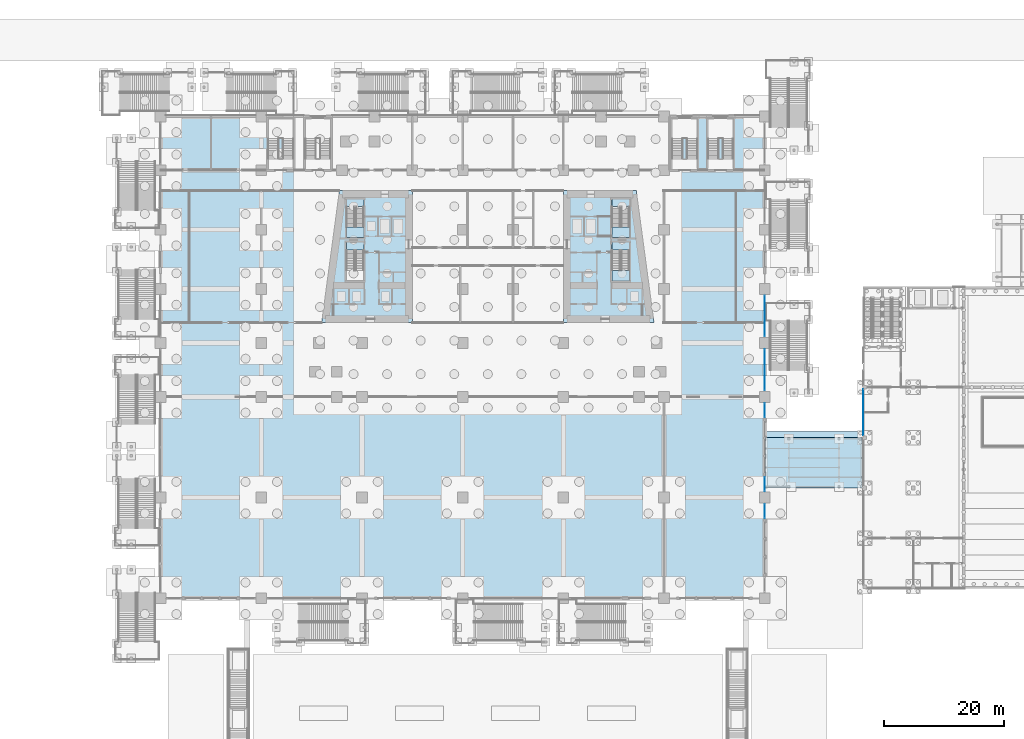
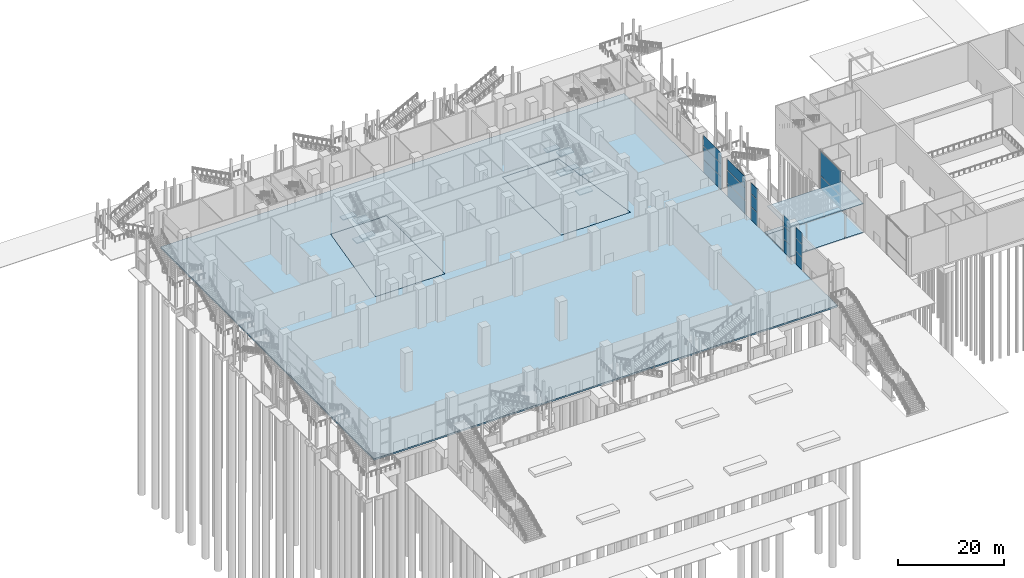
# One storey, part 36 of 72: 17 plates, 16 slabs, 10 elements without a shape of their own.
"""IFC4 building model written with IfcOpenShell, lengths in metres."""

from ifc_helpers import new_model, si_unit, direction, frame, origin, origin_2d, place, context, subcontext, project, spatial, polyline, rectangle, outline, extrude, material, layer, layer_set, type_object, element, aggregate, save


model = new_model("IFC4")

# Units and contexts
model_context = context("Model", 3, precision=1e-05, world=origin(), true_north=direction((0.0, 1.0)))
body_context = subcontext(model_context, "Body", "Model", "MODEL_VIEW")
ifc_project = project(units=[si_unit("LENGTHUNIT", "METRE"), si_unit("AREAUNIT", "SQUARE_METRE"), si_unit("VOLUMEUNIT", "CUBIC_METRE"), si_unit("PLANEANGLEUNIT", "RADIAN"), si_unit("MASSUNIT", "GRAM", prefix="KILO")], contexts=[model_context])

# Site, building, storey
site_placement = place(None, origin())
site = spatial("IfcSite", under=ifc_project, at=site_placement, CompositionType="ELEMENT")
building_placement = place(site_placement, origin())
building = spatial("IfcBuilding", under=site, at=building_placement, Name="Candeia Pilgrim Tower and Theatre", CompositionType="ELEMENT")
storey_placement = place(building_placement, origin())
storey = spatial("IfcBuildingStorey", under=building, at=storey_placement, Name="L00", CompositionType="ELEMENT", Elevation=0.0)

# Slabs
ifc_material_1 = material(Name="Concrete C35/45", Category="concrete")
ifc_layer_1 = layer(ifc_material_1, 0.199951171875)
ifc_layer_set_1 = layer_set([ifc_layer_1], Name="Arcade paving slab 200")
slab_type_1 = type_object("IfcSlabType", Name="Arcade paving slab 200", PredefinedType="BASESLAB", material=ifc_layer_set_1)
slab_1_placement = place(storey_placement, frame((0.0, 0.0, -0.199951171875)))
element("IfcSlab", 1, at=slab_1_placement, inside=storey, type_object=slab_type_1, Name="Arcade paving slab", PredefinedType="BASESLAB", context=body_context, shape_type="SweptSolid", body=[
    extrude(outline(polyline([(159.75, 82.800048828125), (175.85009765625, 82.800048828125), (175.85009765625, 91.199951171875), (159.75, 91.199951171875), (159.75, 82.800048828125)]), holes=[polyline([(163.449951171875, 82.85009765625), (163.75, 82.85009765625), (163.75, 83.14990234375), (163.449951171875, 83.14990234375), (163.449951171875, 82.85009765625)]), polyline([(163.449951171875, 90.85009765625), (163.75, 90.85009765625), (163.75, 91.14990234375), (163.449951171875, 91.14990234375), (163.449951171875, 90.85009765625)]), polyline([(171.85009765625, 82.85009765625), (172.14990234375, 82.85009765625), (172.14990234375, 83.14990234375), (171.85009765625, 83.14990234375), (171.85009765625, 82.85009765625)]), polyline([(171.85009765625, 90.85009765625), (172.14990234375, 90.85009765625), (172.14990234375, 91.14990234375), (171.85009765625, 91.14990234375), (171.85009765625, 90.85009765625)])]), origin(), (0.0, 0.0, 1.0), 0.199951171875),
])
ifc_material_2 = material(Name="Laminated glass roof, steel frame S355", Category="steel")
ifc_layer_2 = layer(ifc_material_2, 0.10009765625)
ifc_layer_set_2 = layer_set([ifc_layer_2], Name="Arcade roof plate 100")
slab_type_2 = type_object("IfcSlabType", Name="Arcade roof plate 100", PredefinedType="ROOF", material=ifc_layer_set_2)
slab_2_placement = place(storey_placement, frame((0.0, 0.0, 6.5)))
element("IfcSlab", 2, at=slab_2_placement, inside=storey, type_object=slab_type_2, Name="Arcade glazed roof", PredefinedType="ROOF", context=body_context, shape_type="SweptSolid", body=[
    extrude(outline(polyline([(159.75, 82.800048828125), (175.85009765625, 82.800048828125), (175.85009765625, 91.199951171875), (159.75, 91.199951171875), (159.75, 82.800048828125)])), origin(), (0.0, 0.0, 1.0), 0.10009765625),
])

# Curtain wall, plates
ifc_material_3 = material(Name="Aluminium framed podium glazing", Category="aluminium")
curtain_wall_type_1 = type_object("IfcCurtainWallType", Name="CW-P curtain wall", PredefinedType="NOTDEFINED", material=ifc_material_3)
curtain_wall_1_placement = place(storey_placement, origin())
curtain_wall_1 = element("IfcCurtainWall", 3, at=curtain_wall_1_placement, inside=storey, type_object=curtain_wall_type_1, Name="Curtain wall CW-P L00.230", PredefinedType="NOTDEFINED")
ifc_material_4 = material(Name="Laminated low-iron glass 2 x 8 mm", Category="glass")
ifc_layer_3 = layer(ifc_material_4, 0.035888671875)
ifc_layer_set_3 = layer_set([ifc_layer_3], Name="CW-P glass panel 36")
plate_type_1 = type_object("IfcPlateType", Name="CW-P glass panel 36", PredefinedType="CURTAIN_PANEL", material=ifc_layer_set_3)
plate_1_placement = place(storey_placement, frame((159.60009765625, 111.5, 0.0), z_axis=(0.0, 0.0, 1.0), x_axis=(0.0, -1.0, 0.0)))
plate_1 = element("IfcPlate", 4, at=plate_1_placement, type_object=plate_type_1, Name="CW-P panel 1.1", PredefinedType="CURTAIN_PANEL", context=body_context, shape_type="SweptSolid", body=[
    extrude(rectangle(XDim=6.820068359375, YDim=0.035888671875, at=origin_2d()), origin(), (0.0, 0.0, 1.0), 2.9599609375),
])
plate_2_placement = place(storey_placement, frame((159.60009765625, 111.5, 3.0400390625), z_axis=(0.0, 0.0, 1.0), x_axis=(0.0, -1.0, 0.0)))
plate_2 = element("IfcPlate", 5, at=plate_2_placement, type_object=plate_type_1, Name="CW-P panel 1.2", PredefinedType="CURTAIN_PANEL", context=body_context, shape_type="SweptSolid", body=[
    extrude(rectangle(XDim=6.820068359375, YDim=0.035888671875, at=origin_2d()), origin(), (0.0, 0.0, 1.0), 2.919921875),
])
plate_3_placement = place(storey_placement, frame((159.60009765625, 111.5, 6.0400390625), z_axis=(0.0, 0.0, 1.0), x_axis=(0.0, -1.0, 0.0)))
plate_3 = element("IfcPlate", 6, at=plate_3_placement, type_object=plate_type_1, Name="CW-P panel 1.3", PredefinedType="CURTAIN_PANEL", context=body_context, shape_type="SweptSolid", body=[
    extrude(rectangle(XDim=6.820068359375, YDim=0.035888671875, at=origin_2d()), origin(), (0.0, 0.0, 1.0), 2.4599609375),
])
aggregate(curtain_wall_1, [plate_1, plate_2, plate_3])

curtain_wall_2_placement = place(storey_placement, origin())
curtain_wall_2 = element("IfcCurtainWall", 7, at=curtain_wall_2_placement, inside=storey, type_object=curtain_wall_type_1, Name="Curtain wall CW-P L00.240", PredefinedType="NOTDEFINED")
plate_4_placement = place(storey_placement, frame((159.60009765625, 102.5, 0.0), z_axis=(0.0, 0.0, 1.0), x_axis=(0.0, -1.0, 0.0)))
plate_4 = element("IfcPlate", 8, at=plate_4_placement, type_object=plate_type_1, Name="CW-P panel 1.1", PredefinedType="CURTAIN_PANEL", context=body_context, shape_type="SweptSolid", body=[
    extrude(rectangle(XDim=6.820068359375, YDim=0.035888671875, at=origin_2d()), origin(), (0.0, 0.0, 1.0), 2.9599609375),
])
plate_5_placement = place(storey_placement, frame((159.60009765625, 102.5, 3.0400390625), z_axis=(0.0, 0.0, 1.0), x_axis=(0.0, -1.0, 0.0)))
plate_5 = element("IfcPlate", 9, at=plate_5_placement, type_object=plate_type_1, Name="CW-P panel 1.2", PredefinedType="CURTAIN_PANEL", context=body_context, shape_type="SweptSolid", body=[
    extrude(rectangle(XDim=6.820068359375, YDim=0.035888671875, at=origin_2d()), origin(), (0.0, 0.0, 1.0), 2.919921875),
])
plate_6_placement = place(storey_placement, frame((159.60009765625, 102.5, 6.0400390625), z_axis=(0.0, 0.0, 1.0), x_axis=(0.0, -1.0, 0.0)))
plate_6 = element("IfcPlate", 10, at=plate_6_placement, type_object=plate_type_1, Name="CW-P panel 1.3", PredefinedType="CURTAIN_PANEL", context=body_context, shape_type="SweptSolid", body=[
    extrude(rectangle(XDim=6.820068359375, YDim=0.035888671875, at=origin_2d()), origin(), (0.0, 0.0, 1.0), 2.4599609375),
])
aggregate(curtain_wall_2, [plate_4, plate_5, plate_6])

curtain_wall_3_placement = place(storey_placement, origin())
curtain_wall_3 = element("IfcCurtainWall", 11, at=curtain_wall_3_placement, inside=storey, type_object=curtain_wall_type_1, Name="Curtain wall CW-P L00.250", PredefinedType="NOTDEFINED")
plate_7_placement = place(storey_placement, frame((159.60009765625, 95.75, 0.0), z_axis=(0.0, 0.0, 1.0), x_axis=(0.0, -1.0, 0.0)))
plate_7 = element("IfcPlate", 12, at=plate_7_placement, type_object=plate_type_1, Name="CW-P panel 1.1", PredefinedType="CURTAIN_PANEL", context=body_context, shape_type="SweptSolid", body=[
    extrude(rectangle(XDim=2.320068359375, YDim=0.035888671875, at=origin_2d()), origin(), (0.0, 0.0, 1.0), 2.9599609375),
])
plate_8_placement = place(storey_placement, frame((159.60009765625, 95.75, 3.0400390625), z_axis=(0.0, 0.0, 1.0), x_axis=(0.0, -1.0, 0.0)))
plate_8 = element("IfcPlate", 13, at=plate_8_placement, type_object=plate_type_1, Name="CW-P panel 1.2", PredefinedType="CURTAIN_PANEL", context=body_context, shape_type="SweptSolid", body=[
    extrude(rectangle(XDim=2.320068359375, YDim=0.035888671875, at=origin_2d()), origin(), (0.0, 0.0, 1.0), 2.919921875),
])
plate_9_placement = place(storey_placement, frame((159.60009765625, 95.75, 6.0400390625), z_axis=(0.0, 0.0, 1.0), x_axis=(0.0, -1.0, 0.0)))
plate_9 = element("IfcPlate", 14, at=plate_9_placement, type_object=plate_type_1, Name="CW-P panel 1.3", PredefinedType="CURTAIN_PANEL", context=body_context, shape_type="SweptSolid", body=[
    extrude(rectangle(XDim=2.320068359375, YDim=0.035888671875, at=origin_2d()), origin(), (0.0, 0.0, 1.0), 2.4599609375),
])
aggregate(curtain_wall_3, [plate_7, plate_8, plate_9])

curtain_wall_4_placement = place(storey_placement, origin())
curtain_wall_4 = element("IfcCurtainWall", 15, at=curtain_wall_4_placement, inside=storey, type_object=curtain_wall_type_1, Name="Curtain wall CW-P L00.251", PredefinedType="NOTDEFINED")
plate_10_placement = place(storey_placement, frame((159.60009765625, 83.449951171875, 0.0), z_axis=(0.0, 0.0, 1.0), x_axis=(0.0, -1.0, 0.0)))
plate_10 = element("IfcPlate", 16, at=plate_10_placement, type_object=plate_type_1, Name="CW-P panel 1.1", PredefinedType="CURTAIN_PANEL", context=body_context, shape_type="SweptSolid", body=[
    extrude(rectangle(XDim=2.320068359375, YDim=0.035888671875, at=origin_2d()), origin(), (0.0, 0.0, 1.0), 2.9599609375),
])
plate_11_placement = place(storey_placement, frame((159.60009765625, 83.449951171875, 3.0400390625), z_axis=(0.0, 0.0, 1.0), x_axis=(0.0, -1.0, 0.0)))
plate_11 = element("IfcPlate", 17, at=plate_11_placement, type_object=plate_type_1, Name="CW-P panel 1.2", PredefinedType="CURTAIN_PANEL", context=body_context, shape_type="SweptSolid", body=[
    extrude(rectangle(XDim=2.320068359375, YDim=0.035888671875, at=origin_2d()), origin(), (0.0, 0.0, 1.0), 2.919921875),
])
plate_12_placement = place(storey_placement, frame((159.60009765625, 83.449951171875, 6.0400390625), z_axis=(0.0, 0.0, 1.0), x_axis=(0.0, -1.0, 0.0)))
plate_12 = element("IfcPlate", 18, at=plate_12_placement, type_object=plate_type_1, Name="CW-P panel 1.3", PredefinedType="CURTAIN_PANEL", context=body_context, shape_type="SweptSolid", body=[
    extrude(rectangle(XDim=2.320068359375, YDim=0.035888671875, at=origin_2d()), origin(), (0.0, 0.0, 1.0), 2.4599609375),
])
aggregate(curtain_wall_4, [plate_10, plate_11, plate_12])

curtain_wall_5_placement = place(storey_placement, origin())
curtain_wall_5 = element("IfcCurtainWall", 19, at=curtain_wall_5_placement, inside=storey, type_object=curtain_wall_type_1, Name="Curtain wall CW-P L00.260", PredefinedType="NOTDEFINED")
plate_13_placement = place(storey_placement, frame((159.60009765625, 78.949951171875, 0.0), z_axis=(0.0, 0.0, 1.0), x_axis=(0.0, -1.0, 0.0)))
plate_13 = element("IfcPlate", 20, at=plate_13_placement, type_object=plate_type_1, Name="CW-P panel 1.1", PredefinedType="CURTAIN_PANEL", context=body_context, shape_type="SweptSolid", body=[
    extrude(rectangle(XDim=2.320068359375, YDim=0.035888671875, at=origin_2d()), origin(), (0.0, 0.0, 1.0), 2.9599609375),
])
plate_14_placement = place(storey_placement, frame((159.60009765625, 78.949951171875, 3.0400390625), z_axis=(0.0, 0.0, 1.0), x_axis=(0.0, -1.0, 0.0)))
plate_14 = element("IfcPlate", 21, at=plate_14_placement, type_object=plate_type_1, Name="CW-P panel 1.2", PredefinedType="CURTAIN_PANEL", context=body_context, shape_type="SweptSolid", body=[
    extrude(rectangle(XDim=2.320068359375, YDim=0.035888671875, at=origin_2d()), origin(), (0.0, 0.0, 1.0), 2.919921875),
])
plate_15_placement = place(storey_placement, frame((159.60009765625, 78.949951171875, 6.0400390625), z_axis=(0.0, 0.0, 1.0), x_axis=(0.0, -1.0, 0.0)))
plate_15 = element("IfcPlate", 22, at=plate_15_placement, type_object=plate_type_1, Name="CW-P panel 1.3", PredefinedType="CURTAIN_PANEL", context=body_context, shape_type="SweptSolid", body=[
    extrude(rectangle(XDim=2.320068359375, YDim=0.035888671875, at=origin_2d()), origin(), (0.0, 0.0, 1.0), 2.4599609375),
])
aggregate(curtain_wall_5, [plate_13, plate_14, plate_15])

# Slabs
ifc_material_5 = material(Name="Concrete C60/75", Category="concrete")
ifc_layer_4 = layer(ifc_material_5, 0.35009765625)
ifc_layer_set_4 = layer_set([ifc_layer_4], Name="FS-CORE 350 core floor")
slab_type_3 = type_object("IfcSlabType", Name="FS-CORE 350 core floor", PredefinedType="FLOOR", material=ifc_layer_set_4)
slab_3_placement = place(storey_placement, frame((0.0, 0.0, -0.35009765625)))
element("IfcSlab", 23, at=slab_3_placement, inside=storey, type_object=slab_type_3, Name="Core floor W L00", PredefinedType="FLOOR", context=body_context, shape_type="SweptSolid", body=[
    extrude(outline(polyline([(88.630859375, 132.39990234375), (100.800048828125, 132.39990234375), (100.800048828125, 110.39990234375), (85.669189453125, 110.39990234375), (88.630859375, 132.39990234375)])), origin(), (0.0, 0.0, 1.0), 0.35009765625),
])
slab_4_placement = place(storey_placement, frame((0.0, 0.0, -0.35009765625)))
element("IfcSlab", 24, at=slab_4_placement, inside=storey, type_object=slab_type_3, Name="Core floor E L00", PredefinedType="FLOOR", context=body_context, shape_type="SweptSolid", body=[
    extrude(outline(polyline([(126.0, 132.39990234375), (138.169189453125, 132.39990234375), (141.130859375, 110.39990234375), (126.0, 110.39990234375), (126.0, 132.39990234375)])), origin(), (0.0, 0.0, 1.0), 0.35009765625),
])
ifc_material_6 = material(Name="Concrete C40/50", Category="concrete")
ifc_layer_5 = layer(ifc_material_6, 0.35009765625)
ifc_layer_set_5 = layer_set([ifc_layer_5], Name="Ground slab 350 C40/50")
slab_type_4 = type_object("IfcSlabType", Name="Ground slab 350 C40/50", PredefinedType="BASESLAB", material=ifc_layer_set_5)
slab_5_placement = place(storey_placement, frame((0.0, 0.0, -0.35009765625)))
element("IfcSlab", 25, at=slab_5_placement, inside=storey, type_object=slab_type_4, Name="Floor slab L00", PredefinedType="BASESLAB", context=body_context, shape_type="SweptSolid", body=[
    extrude(outline(polyline([(58.800048828125, 64.39990234375), (58.800048828125, 144.800048828125), (159.60009765625, 144.800048828125), (159.60009765625, 64.39990234375), (58.800048828125, 64.39990234375)]), holes=[polyline([(88.630859375, 132.39990234375), (85.669189453125, 110.39990234375), (100.800048828125, 110.39990234375), (100.800048828125, 132.39990234375), (88.630859375, 132.39990234375)]), polyline([(126.0, 132.39990234375), (126.0, 110.39990234375), (141.130859375, 110.39990234375), (138.169189453125, 132.39990234375), (126.0, 132.39990234375)])]), origin(), (0.0, 0.0, 1.0), 0.35009765625),
])

# Curtain wall, plates
ifc_material_7 = material(Name="Aluminium curtain wall system", Category="aluminium")
curtain_wall_type_2 = type_object("IfcCurtainWallType", Name="Curtain wall CW-T", PredefinedType="NOTDEFINED", material=ifc_material_7)
curtain_wall_6_placement = place(storey_placement, origin())
curtain_wall_6 = element("IfcCurtainWall", 26, at=curtain_wall_6_placement, inside=storey, type_object=curtain_wall_type_2, Name="Foyer curtain wall L00 2", PredefinedType="NOTDEFINED")
ifc_material_8 = material(Name="Laminated low-iron glass", Category="glass")
ifc_layer_6 = layer(ifc_material_8, 0.028076171875)
ifc_layer_set_6 = layer_set([ifc_layer_6], Name="Panel CW-T glass 28")
plate_type_2 = type_object("IfcPlateType", Name="Panel CW-T glass 28", PredefinedType="CURTAIN_PANEL", material=ifc_layer_set_6)
plate_16_placement = place(storey_placement, frame((176.050048828125, 95.39990234375, 0.06005859375), z_axis=(0.0, 0.0, 1.0), x_axis=(0.0, 1.0, 0.0)))
plate_16 = element("IfcPlate", 27, at=plate_16_placement, type_object=plate_type_2, Name="CW-T panel 1.1", PredefinedType="CURTAIN_PANEL", context=body_context, shape_type="SweptSolid", body=[
    extrude(rectangle(XDim=7.679931640625, YDim=0.028076171875, at=origin_2d()), origin(), (0.0, 0.0, 1.0), 2.909912109375),
])
plate_17_placement = place(storey_placement, frame((176.050048828125, 95.39990234375, 3.02978515625), z_axis=(0.0, 0.0, 1.0), x_axis=(0.0, 1.0, 0.0)))
plate_17 = element("IfcPlate", 28, at=plate_17_placement, type_object=plate_type_2, Name="CW-T panel 1.2", PredefinedType="CURTAIN_PANEL", context=body_context, shape_type="SweptSolid", body=[
    extrude(rectangle(XDim=7.679931640625, YDim=0.028076171875, at=origin_2d()), origin(), (0.0, 0.0, 1.0), 5.610107421875),
])
aggregate(curtain_wall_6, [plate_16, plate_17])

# Stair, slab
stair_type = type_object("IfcStairType", Name="ST-TWR dog-leg escape stair", PredefinedType="HALF_TURN_STAIR", material=ifc_material_6)
stair_1_placement = place(storey_placement, origin())
stair_1 = element("IfcStair", 29, at=stair_1_placement, inside=storey, type_object=stair_type, Name="L00 Escape stair ST1", PredefinedType="HALF_TURN_STAIR")
ifc_layer_7 = layer(ifc_material_6, 0.199951171875)
ifc_layer_set_7 = layer_set([ifc_layer_7], Name="SL-LANDING stair landing")
slab_type_5 = type_object("IfcSlabType", Name="SL-LANDING stair landing", PredefinedType="LANDING", material=ifc_layer_set_7)
slab_6_placement = place(storey_placement, frame((0.0, 0.0, 4.300048828125)))
slab_6 = element("IfcSlab", 30, at=slab_6_placement, type_object=slab_type_5, Name="ST1 landing 2", PredefinedType="LANDING", context=body_context, shape_type="SweptSolid", body=[
    extrude(outline(polyline([(89.802001953125, 123.824951171875), (89.802001953125, 122.47509765625), (92.701904296875, 122.47509765625), (92.701904296875, 123.824951171875), (89.802001953125, 123.824951171875)])), origin(), (0.0, 0.0, 1.0), 0.199951171875),
])
aggregate(stair_1, [slab_6])

# Stair, slabs
stair_2_placement = place(storey_placement, origin())
stair_2 = element("IfcStair", 31, at=stair_2_placement, inside=storey, type_object=stair_type, Name="L00 Escape stair ST2", PredefinedType="HALF_TURN_STAIR")
slab_7_placement = place(storey_placement, frame((0.0, 0.0, 2.050048828125)))
slab_7 = element("IfcSlab", 32, at=slab_7_placement, type_object=slab_type_5, Name="ST2 landing 1", PredefinedType="LANDING", context=body_context, shape_type="SweptSolid", body=[
    extrude(outline(polyline([(89.802001953125, 126.364990234375), (89.802001953125, 124.574951171875), (92.701904296875, 124.574951171875), (92.701904296875, 126.364990234375), (89.802001953125, 126.364990234375)])), origin(), (0.0, 0.0, 1.0), 0.199951171875),
])
slab_8_placement = place(storey_placement, frame((0.0, 0.0, 4.300048828125)))
slab_8 = element("IfcSlab", 33, at=slab_8_placement, type_object=slab_type_5, Name="ST2 landing 2", PredefinedType="LANDING", context=body_context, shape_type="SweptSolid", body=[
    extrude(outline(polyline([(89.802001953125, 131.074951171875), (89.802001953125, 129.72509765625), (92.701904296875, 129.72509765625), (92.701904296875, 131.074951171875), (89.802001953125, 131.074951171875)])), origin(), (0.0, 0.0, 1.0), 0.199951171875),
])
slab_9_placement = place(storey_placement, frame((0.0, 0.0, 6.550048828125)))
slab_9 = element("IfcSlab", 34, at=slab_9_placement, type_object=slab_type_5, Name="ST2 landing 3", PredefinedType="LANDING", context=body_context, shape_type="SweptSolid", body=[
    extrude(outline(polyline([(89.802001953125, 126.364990234375), (89.802001953125, 124.574951171875), (92.701904296875, 124.574951171875), (92.701904296875, 126.364990234375), (89.802001953125, 126.364990234375)])), origin(), (0.0, 0.0, 1.0), 0.199951171875),
])
aggregate(stair_2, [slab_7, slab_8, slab_9])

stair_3_placement = place(storey_placement, origin())
stair_3 = element("IfcStair", 35, at=stair_3_placement, inside=storey, type_object=stair_type, Name="L00 Escape stair ST3", PredefinedType="HALF_TURN_STAIR")
slab_10_placement = place(storey_placement, frame((0.0, 0.0, 2.050048828125)))
slab_10 = element("IfcSlab", 36, at=slab_10_placement, type_object=slab_type_5, Name="ST3 landing 1", PredefinedType="LANDING", context=body_context, shape_type="SweptSolid", body=[
    extrude(outline(polyline([(134.097900390625, 119.114990234375), (134.097900390625, 117.324951171875), (136.998046875, 117.324951171875), (136.998046875, 119.114990234375), (134.097900390625, 119.114990234375)])), origin(), (0.0, 0.0, 1.0), 0.199951171875),
])
slab_11_placement = place(storey_placement, frame((0.0, 0.0, 4.300048828125)))
slab_11 = element("IfcSlab", 37, at=slab_11_placement, type_object=slab_type_5, Name="ST3 landing 2", PredefinedType="LANDING", context=body_context, shape_type="SweptSolid", body=[
    extrude(outline(polyline([(134.097900390625, 123.824951171875), (134.097900390625, 122.47509765625), (136.998046875, 122.47509765625), (136.998046875, 123.824951171875), (134.097900390625, 123.824951171875)])), origin(), (0.0, 0.0, 1.0), 0.199951171875),
])
slab_12_placement = place(storey_placement, frame((0.0, 0.0, 6.550048828125)))
slab_12 = element("IfcSlab", 38, at=slab_12_placement, type_object=slab_type_5, Name="ST3 landing 3", PredefinedType="LANDING", context=body_context, shape_type="SweptSolid", body=[
    extrude(outline(polyline([(134.097900390625, 119.114990234375), (134.097900390625, 117.324951171875), (136.998046875, 117.324951171875), (136.998046875, 119.114990234375), (134.097900390625, 119.114990234375)])), origin(), (0.0, 0.0, 1.0), 0.199951171875),
])
aggregate(stair_3, [slab_10, slab_11, slab_12])

stair_4_placement = place(storey_placement, origin())
stair_4 = element("IfcStair", 39, at=stair_4_placement, inside=storey, type_object=stair_type, Name="L00 Escape stair ST4", PredefinedType="HALF_TURN_STAIR")
slab_13_placement = place(storey_placement, frame((0.0, 0.0, 2.050048828125)))
slab_13 = element("IfcSlab", 40, at=slab_13_placement, type_object=slab_type_5, Name="ST4 landing 1", PredefinedType="LANDING", context=body_context, shape_type="SweptSolid", body=[
    extrude(outline(polyline([(134.097900390625, 126.364990234375), (134.097900390625, 124.574951171875), (136.998046875, 124.574951171875), (136.998046875, 126.364990234375), (134.097900390625, 126.364990234375)])), origin(), (0.0, 0.0, 1.0), 0.199951171875),
])
slab_14_placement = place(storey_placement, frame((0.0, 0.0, 4.300048828125)))
slab_14 = element("IfcSlab", 41, at=slab_14_placement, type_object=slab_type_5, Name="ST4 landing 2", PredefinedType="LANDING", context=body_context, shape_type="SweptSolid", body=[
    extrude(outline(polyline([(134.097900390625, 131.074951171875), (134.097900390625, 129.72509765625), (136.998046875, 129.72509765625), (136.998046875, 131.074951171875), (134.097900390625, 131.074951171875)])), origin(), (0.0, 0.0, 1.0), 0.199951171875),
])
slab_15_placement = place(storey_placement, frame((0.0, 0.0, 6.550048828125)))
slab_15 = element("IfcSlab", 42, at=slab_15_placement, type_object=slab_type_5, Name="ST4 landing 3", PredefinedType="LANDING", context=body_context, shape_type="SweptSolid", body=[
    extrude(outline(polyline([(134.097900390625, 126.364990234375), (134.097900390625, 124.574951171875), (136.998046875, 124.574951171875), (136.998046875, 126.364990234375), (134.097900390625, 126.364990234375)])), origin(), (0.0, 0.0, 1.0), 0.199951171875),
])
aggregate(stair_4, [slab_13, slab_14, slab_15])

# Slab
ifc_layer_8 = layer(ifc_material_1, 0.14990234375)
ifc_layer_set_8 = layer_set([ifc_layer_8], Name="Site paving slab 150")
slab_type_6 = type_object("IfcSlabType", Name="Site paving slab 150", PredefinedType="USERDEFINED", material=ifc_layer_set_8)
slab_16_placement = place(storey_placement, frame((0.0, 0.0, -0.14990234375)))
element("IfcSlab", 43, at=slab_16_placement, inside=storey, type_object=slab_type_6, Name="PAVING arcade apron", ObjectType="PAVING", PredefinedType="USERDEFINED", context=body_context, shape_type="SweptSolid", body=[
    extrude(outline(polyline([(175.85009765625, 91.199951171875), (175.85009765625, 92.199951171875), (159.75, 92.199951171875), (159.75, 91.199951171875), (175.85009765625, 91.199951171875)])), origin(), (0.0, 0.0, 1.0), 0.14990234375),
])

save(model, "model.ifc")
